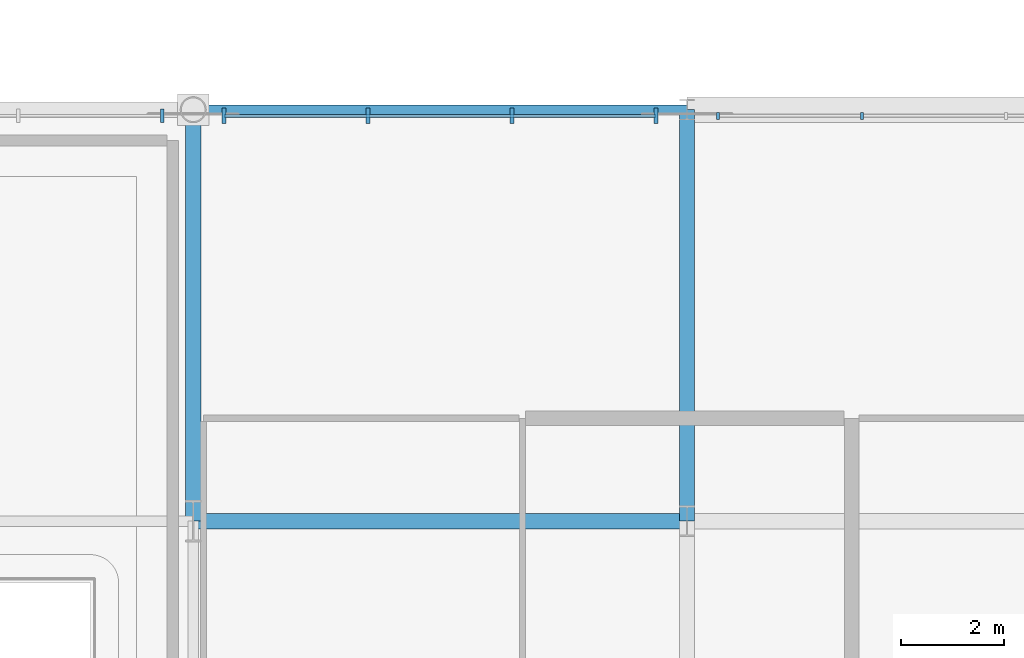
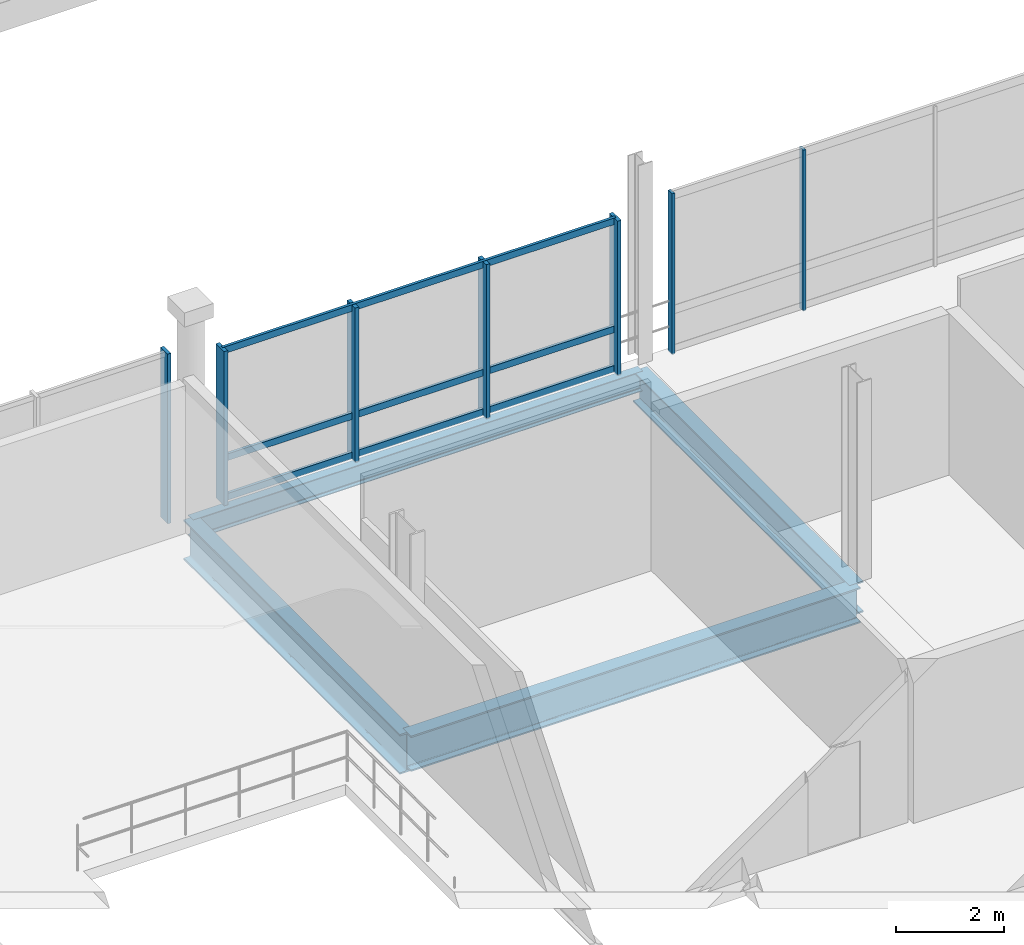
# One storey, part 33 of 193: 10 members, 4 beams, 3 elements without a shape of their own.
"""IFC4 building model written with IfcOpenShell, lengths in metres."""

from ifc_helpers import new_model, si_unit, direction, frame, origin, origin_2d, place, context, subcontext, project, spatial, rectangle, i_section, extrude, material, material_profile, profile_set, type_object, element, aggregate, save


model = new_model("IFC4")

# Units and contexts
model_context = context("Model", 3, precision=1e-05, world=origin(), true_north=direction((0.0, 1.0)))
body_context = subcontext(model_context, "Body", "Model", "MODEL_VIEW")
ifc_project = project(units=[si_unit("LENGTHUNIT", "METRE"), si_unit("AREAUNIT", "SQUARE_METRE"), si_unit("VOLUMEUNIT", "CUBIC_METRE"), si_unit("PLANEANGLEUNIT", "RADIAN"), si_unit("MASSUNIT", "GRAM", prefix="KILO")], contexts=[model_context])

# Site, building, storey
site_placement = place(None, origin())
site = spatial("IfcSite", under=ifc_project, at=site_placement, CompositionType="ELEMENT")
building_placement = place(site_placement, origin())
building = spatial("IfcBuilding", under=site, at=building_placement, Name="Danafjord Basin Convention Centre", CompositionType="ELEMENT")
storey_placement = place(building_placement, frame((0.0, 0.0, 11.39990234375)))
storey = spatial("IfcBuildingStorey", under=building, at=storey_placement, Name="L02", CompositionType="ELEMENT", Elevation=11.39990234375)

# Beams
ifc_material_1 = material(Name="Steel S355", Category="steel")
ifc_material_profile_1 = material_profile(ifc_material_1, i_section(OverallWidth=0.300048828125, OverallDepth=0.699951171875, WebThickness=0.01708984375, FlangeThickness=0.031982421875, FilletRadius=0.027099609375, at=origin_2d()), Name="HEB 700")
ifc_profile_set_1 = profile_set([ifc_material_profile_1], Name="Steel S355")
beam_type_1 = type_object("IfcBeamType", Name="BEAM-BM-HEB700", PredefinedType="BEAM", material=ifc_profile_set_1)
beam_1_placement = place(storey_placement, frame((57.60009765625, 32.0, -0.599853515625), z_axis=(0.0, 1.0, 0.0), x_axis=(-1.0, 0.0, 0.0)))
element("IfcBeam", 1, at=beam_1_placement, inside=storey, type_object=beam_type_1, Name="L02 transverse girder BM-HEB700", PredefinedType="BEAM", context=body_context, shape_type="SweptSolid", body=[
    extrude(i_section(OverallWidth=0.300048828125, OverallDepth=0.699951171875, WebThickness=0.01708984375, FlangeThickness=0.031982421875, FilletRadius=0.027099609375, at=origin_2d()), origin(), (0.0, 0.0, 1.0), 8.0),
])
ifc_material_profile_2 = material_profile(ifc_material_1, i_section(OverallWidth=0.300048828125, OverallDepth=0.800048828125, WebThickness=0.017578125, FlangeThickness=0.032958984375, FilletRadius=0.030029296875, at=origin_2d()), Name="HEB 800")
ifc_profile_set_2 = profile_set([ifc_material_profile_2], Name="Steel S355")
beam_type_2 = type_object("IfcBeamType", Name="BEAM-BM-HEB800", PredefinedType="BEAM", material=ifc_profile_set_2)
beam_2_placement = place(storey_placement, frame((48.0, 32.0, -0.64990234375), z_axis=(1.0, 0.0, 0.0), x_axis=(0.0, 1.0, 0.0)))
element("IfcBeam", 2, at=beam_2_placement, inside=storey, type_object=beam_type_2, Name="L02 girder BM-HEB800", PredefinedType="BEAM", context=body_context, shape_type="SweptSolid", body=[
    extrude(i_section(OverallWidth=0.300048828125, OverallDepth=0.800048828125, WebThickness=0.017578125, FlangeThickness=0.032958984375, FilletRadius=0.030029296875, at=origin_2d()), origin(), (0.0, 0.0, 1.0), 9.60009765625),
])
ifc_material_profile_3 = material_profile(ifc_material_1, i_section(OverallWidth=0.300048828125, OverallDepth=0.89990234375, WebThickness=0.0185546875, FlangeThickness=0.034912109375, FilletRadius=0.030029296875, at=origin_2d()), Name="HEB 900")
ifc_profile_set_3 = profile_set([ifc_material_profile_3], Name="Steel S355")
beam_type_3 = type_object("IfcBeamType", Name="BEAM-BM-HEB900", PredefinedType="BEAM", material=ifc_profile_set_3)
beam_3_placement = place(storey_placement, frame((48.0, 32.0, -0.699951171875), z_axis=(0.0, 1.0, 0.0), x_axis=(-1.0, 0.0, 0.0)))
element("IfcBeam", 3, at=beam_3_placement, inside=storey, type_object=beam_type_3, Name="L02 transverse girder BM-HEB900", PredefinedType="BEAM", context=body_context, shape_type="SweptSolid", body=[
    extrude(i_section(OverallWidth=0.300048828125, OverallDepth=0.89990234375, WebThickness=0.0185546875, FlangeThickness=0.034912109375, FilletRadius=0.030029296875, at=origin_2d()), origin(), (0.0, 0.0, 1.0), 8.0),
])
ifc_material_profile_4 = material_profile(ifc_material_1, i_section(OverallWidth=0.18994140625, OverallDepth=0.449951171875, WebThickness=0.009521484375, FlangeThickness=0.0146484375, FilletRadius=0.02099609375, at=origin_2d()), Name="IPE 450")
ifc_profile_set_4 = profile_set([ifc_material_profile_4], Name="Steel S355")
beam_type_4 = type_object("IfcBeamType", Name="BEAM-SP-IPE450", PredefinedType="SPANDREL", material=ifc_profile_set_4)
beam_4_placement = place(storey_placement, frame((48.0, 40.0, -0.474853515625), z_axis=(1.0, 0.0, 0.0), x_axis=(0.0, 1.0, 0.0)))
element("IfcBeam", 4, at=beam_4_placement, inside=storey, type_object=beam_type_4, Name="L02 girder SP-IPE450", PredefinedType="SPANDREL", context=body_context, shape_type="SweptSolid", body=[
    extrude(i_section(OverallWidth=0.18994140625, OverallDepth=0.449951171875, WebThickness=0.009521484375, FlangeThickness=0.0146484375, FilletRadius=0.02099609375, at=origin_2d()), origin(), (0.0, 0.0, 1.0), 9.60009765625),
])

# Curtain wall, members
ifc_material_2 = material(Name="Anodised aluminium and triple glazing", Category="aluminium")
curtain_wall_type = type_object("IfcCurtainWallType", Name="CW-CW-TERR", PredefinedType="NOTDEFINED", material=ifc_material_2)
curtain_wall_1_placement = place(storey_placement, origin())
curtain_wall_1 = element("IfcCurtainWall", 5, at=curtain_wall_1_placement, inside=storey, type_object=curtain_wall_type, Name="L02 CW-TERR unitised curtain wall bay 65", PredefinedType="NOTDEFINED")
ifc_material_3 = material(Name="Anodised aluminium EN AW-6060", Category="aluminium")
ifc_material_profile_5 = material_profile(ifc_material_3, rectangle(XDim=0.06005859375, YDim=0.139892578125, at=origin_2d()), Name="MULL 60x140")
ifc_profile_set_5 = profile_set([ifc_material_profile_5], Name="Anodised aluminium EN AW-6060")
member_type_1 = type_object("IfcMemberType", Name="MEM-ML-140", PredefinedType="MULLION", material=ifc_profile_set_5)
member_1_placement = place(storey_placement, frame((61.0, 39.8798828125, -0.02490234375), z_axis=(0.0, 0.0, 1.0), x_axis=(-1.0, 0.0, 0.0)))
member_1 = element("IfcMember", 6, at=member_1_placement, type_object=member_type_1, Name="CW-L02-065 mullion 3", PredefinedType="MULLION", context=body_context, shape_type="SweptSolid", body=[
    extrude(rectangle(XDim=0.06005859375, YDim=0.139892578125, at=origin_2d()), origin(), (0.0, 0.0, 1.0), 3.635009765625),
])
member_2_placement = place(storey_placement, frame((58.199951171875, 39.8798828125, -0.02490234375), z_axis=(0.0, 0.0, 1.0), x_axis=(-1.0, 0.0, 0.0)))
member_2 = element("IfcMember", 7, at=member_2_placement, type_object=member_type_1, Name="CW-L02-065 mullion 4", PredefinedType="MULLION", context=body_context, shape_type="SweptSolid", body=[
    extrude(rectangle(XDim=0.06005859375, YDim=0.139892578125, at=origin_2d()), origin(), (0.0, 0.0, 1.0), 3.635009765625),
])
aggregate(curtain_wall_1, [member_1, member_2])

# Curtain wall, member
curtain_wall_2_placement = place(storey_placement, origin())
curtain_wall_2 = element("IfcCurtainWall", 8, at=curtain_wall_2_placement, inside=storey, type_object=curtain_wall_type, Name="L02 CW-TERR unitised curtain wall bay 63", PredefinedType="NOTDEFINED")
ifc_material_profile_6 = material_profile(ifc_material_3, rectangle(XDim=0.070068359375, YDim=0.260009765625, at=origin_2d()), Name="MULL 70x260")
ifc_profile_set_6 = profile_set([ifc_material_profile_6], Name="Anodised aluminium EN AW-6060")
member_type_2 = type_object("IfcMemberType", Name="MEM-ML-260", PredefinedType="MULLION", material=ifc_profile_set_6)
member_3_placement = place(storey_placement, frame((47.39990234375, 39.8798828125, -0.02490234375), z_axis=(0.0, 0.0, 1.0), x_axis=(-1.0, 0.0, 0.0)))
member_3 = element("IfcMember", 9, at=member_3_placement, type_object=member_type_2, Name="CW-L02-063 mullion 1", PredefinedType="MULLION", context=body_context, shape_type="SweptSolid", body=[
    extrude(rectangle(XDim=0.070068359375, YDim=0.260009765625, at=origin_2d()), origin(), (0.0, 0.0, 1.0), 3.8349609375),
])
aggregate(curtain_wall_2, [member_3])

# Curtain wall, members
curtain_wall_3_placement = place(storey_placement, origin())
curtain_wall_3 = element("IfcCurtainWall", 10, at=curtain_wall_3_placement, inside=storey, type_object=curtain_wall_type, Name="L02 CW-TERR unitised curtain wall bay 64", PredefinedType="NOTDEFINED")
ifc_material_profile_7 = material_profile(ifc_material_3, rectangle(XDim=0.080078125, YDim=0.300048828125, at=origin_2d()), Name="MULL 80x300")
ifc_profile_set_7 = profile_set([ifc_material_profile_7], Name="Anodised aluminium EN AW-6060")
member_type_3 = type_object("IfcMemberType", Name="MEM-ML-300", PredefinedType="MULLION", material=ifc_profile_set_7)
member_4_placement = place(storey_placement, frame((57.0, 39.8798828125, -0.02490234375), z_axis=(0.0, 0.0, 1.0), x_axis=(-1.0, 0.0, 0.0)))
member_4 = element("IfcMember", 11, at=member_4_placement, type_object=member_type_3, Name="CW-L02-064 mullion 1", PredefinedType="MULLION", context=body_context, shape_type="SweptSolid", body=[
    extrude(rectangle(XDim=0.080078125, YDim=0.300048828125, at=origin_2d()), origin(), (0.0, 0.0, 1.0), 3.485107421875),
])
member_5_placement = place(storey_placement, frame((54.199951171875, 39.8798828125, -0.02490234375), z_axis=(0.0, 0.0, 1.0), x_axis=(-1.0, 0.0, 0.0)))
member_5 = element("IfcMember", 12, at=member_5_placement, type_object=member_type_3, Name="CW-L02-064 mullion 2", PredefinedType="MULLION", context=body_context, shape_type="SweptSolid", body=[
    extrude(rectangle(XDim=0.080078125, YDim=0.300048828125, at=origin_2d()), origin(), (0.0, 0.0, 1.0), 3.485107421875),
])
member_6_placement = place(storey_placement, frame((51.39990234375, 39.8798828125, -0.02490234375), z_axis=(0.0, 0.0, 1.0), x_axis=(-1.0, 0.0, 0.0)))
member_6 = element("IfcMember", 13, at=member_6_placement, type_object=member_type_3, Name="CW-L02-064 mullion 3", PredefinedType="MULLION", context=body_context, shape_type="SweptSolid", body=[
    extrude(rectangle(XDim=0.080078125, YDim=0.300048828125, at=origin_2d()), origin(), (0.0, 0.0, 1.0), 3.485107421875),
])
member_7_placement = place(storey_placement, frame((48.60009765625, 39.8798828125, -0.02490234375), z_axis=(0.0, 0.0, 1.0), x_axis=(-1.0, 0.0, 0.0)))
member_7 = element("IfcMember", 14, at=member_7_placement, type_object=member_type_3, Name="CW-L02-064 mullion 4", PredefinedType="MULLION", context=body_context, shape_type="SweptSolid", body=[
    extrude(rectangle(XDim=0.080078125, YDim=0.300048828125, at=origin_2d()), origin(), (0.0, 0.0, 1.0), 3.485107421875),
])
ifc_material_profile_8 = material_profile(ifc_material_3, rectangle(XDim=0.06005859375, YDim=0.14990234375, at=origin_2d()), Name="TRAN 60x150")
ifc_profile_set_8 = profile_set([ifc_material_profile_8], Name="Anodised aluminium EN AW-6060")
member_type_4 = type_object("IfcMemberType", Name="MEM-TR-150", PredefinedType="USERDEFINED", material=ifc_profile_set_8)
member_8_placement = place(storey_placement, frame((57.0, 39.8798828125, 0.06005859375), z_axis=(-1.0, 0.0, 0.0), x_axis=(0.0, -1.0, 0.0)))
member_8 = element("IfcMember", 15, at=member_8_placement, type_object=member_type_4, Name="CW-L02-064 transom 1", ObjectType="TRANSOM", PredefinedType="USERDEFINED", context=body_context, shape_type="SweptSolid", body=[
    extrude(rectangle(XDim=0.06005859375, YDim=0.14990234375, at=origin_2d()), origin(), (0.0, 0.0, 1.0), 8.39990234375),
])
member_9_placement = place(storey_placement, frame((57.0, 39.8798828125, 0.9501953125), z_axis=(-1.0, 0.0, 0.0), x_axis=(0.0, -1.0, 0.0)))
member_9 = element("IfcMember", 16, at=member_9_placement, type_object=member_type_4, Name="CW-L02-064 transom 2", ObjectType="TRANSOM", PredefinedType="USERDEFINED", context=body_context, shape_type="SweptSolid", body=[
    extrude(rectangle(XDim=0.06005859375, YDim=0.14990234375, at=origin_2d()), origin(), (0.0, 0.0, 1.0), 8.39990234375),
])
member_10_placement = place(storey_placement, frame((57.0, 39.8798828125, 3.39013671875), z_axis=(-1.0, 0.0, 0.0), x_axis=(0.0, -1.0, 0.0)))
member_10 = element("IfcMember", 17, at=member_10_placement, type_object=member_type_4, Name="CW-L02-064 transom 3", ObjectType="TRANSOM", PredefinedType="USERDEFINED", context=body_context, shape_type="SweptSolid", body=[
    extrude(rectangle(XDim=0.06005859375, YDim=0.14990234375, at=origin_2d()), origin(), (0.0, 0.0, 1.0), 8.39990234375),
])
aggregate(curtain_wall_3, [member_4, member_5, member_6, member_7, member_8, member_9, member_10])

save(model, "model.ifc")
